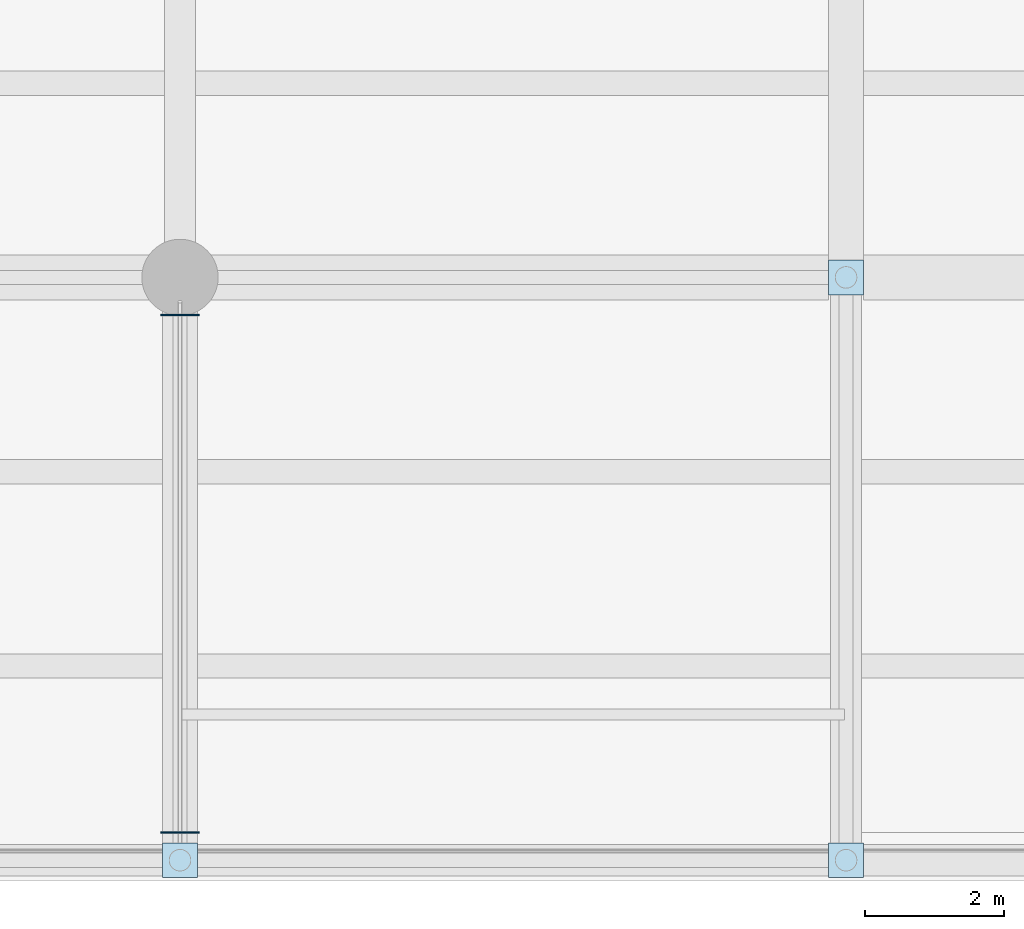
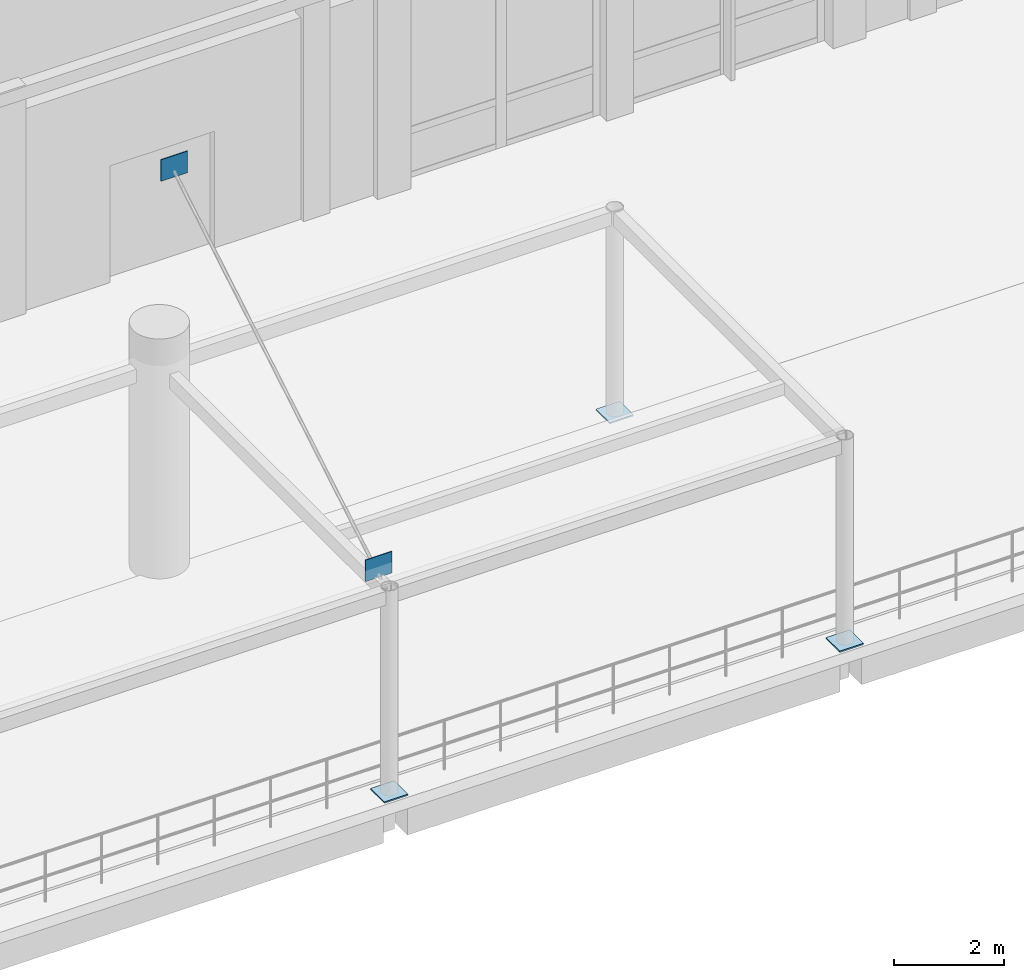
# One storey, part 45 of 71: 5 plates.
"""IFC4 building model written with IfcOpenShell, lengths in metres."""

from ifc_helpers import new_model, si_unit, direction, frame, origin, origin_2d, place, context, subcontext, project, spatial, rectangle, extrude, material, layer, layer_set, type_object, element, save


model = new_model("IFC4")

# Units and contexts
model_context = context("Model", 3, precision=1e-05, world=origin(), true_north=direction((0.0, 1.0)))
body_context = subcontext(model_context, "Body", "Model", "MODEL_VIEW")
ifc_project = project(units=[si_unit("LENGTHUNIT", "METRE"), si_unit("AREAUNIT", "SQUARE_METRE"), si_unit("VOLUMEUNIT", "CUBIC_METRE"), si_unit("PLANEANGLEUNIT", "RADIAN"), si_unit("MASSUNIT", "GRAM", prefix="KILO")], contexts=[model_context])

# Site, building, storey
site_placement = place(None, origin())
site = spatial("IfcSite", under=ifc_project, at=site_placement, CompositionType="ELEMENT")
building_placement = place(site_placement, origin())
building = spatial("IfcBuilding", under=site, at=building_placement, Name="Lornevale Opera House", CompositionType="ELEMENT")
storey_placement = place(building_placement, origin())
storey = spatial("IfcBuildingStorey", under=building, at=storey_placement, Name="L01", CompositionType="ELEMENT", Elevation=0.0)

# Plates
ifc_material = material(Name="Structural Steel CSA G40.21 Grade 350W (350 MPa)", Category="steel")
ifc_layer_1 = layer(ifc_material, 0.02001953125)
ifc_layer_set_1 = layer_set([ifc_layer_1], Name="Structural Steel CSA G40.21 Grade 350W (350 MPa)")
plate_type_1 = type_object("IfcPlateType", Name="Canopy Mast Anchor Plate 560x480x20", PredefinedType="USERDEFINED", material=ifc_layer_set_1)
for number, where, z_axis, x_axis, name in (
    (1, (96.0, 0.39990234375, 4.56005859375), (0.0, 0.0, 1.0), (1.0, 0.0, 0.0), "Canopy Mast Anchor Plate PT-0007"),
    (2, (96.0, 7.860107421875, 8.9599609375), (0.0, 0.0, 1.0), (1.0, 0.0, 0.0), "Canopy Mast Anchor Plate PT-0008"),
):
    element("IfcPlate", number, at=place(storey_placement, frame(where, z_axis=z_axis, x_axis=x_axis)), inside=storey, type_object=plate_type_1, Name=name, ObjectType="GUSSET PLATE", PredefinedType="USERDEFINED", context=body_context, shape_type="SweptSolid", body=[
        extrude(rectangle(XDim=0.56005859375, YDim=0.02001953125, at=origin_2d()), origin(), (0.0, 0.0, 1.0), 0.47998046875),
    ])
ifc_layer_2 = layer(ifc_material, 0.030029296875)
ifc_layer_set_2 = layer_set([ifc_layer_2], Name="Structural Steel CSA G40.21 Grade 350W (350 MPa)")
plate_type_2 = type_object("IfcPlateType", Name="Canopy Mast Base Plate 500x500x30", PredefinedType="USERDEFINED", material=ifc_layer_set_2)
for number, where, z_axis, x_axis, name in (
    (3, (96.0, 0.0, 0.0), (0.0, 0.0, 1.0), (1.0, 0.0, 0.0), "Canopy Mast Base Plate PT-MB-0005"),
    (4, (105.60009765625, 0.0, 0.0), (0.0, 0.0, 1.0), (1.0, 0.0, 0.0), "Canopy Mast Base Plate PT-MB-0006"),
    (5, (105.60009765625, 8.39990234375, 0.0), (0.0, 0.0, 1.0), (1.0, 0.0, 0.0), "Canopy Mast Base Plate PT-MB-0008"),
):
    element("IfcPlate", number, at=place(storey_placement, frame(where, z_axis=z_axis, x_axis=x_axis)), inside=storey, type_object=plate_type_2, Name=name, ObjectType="GUSSET PLATE", PredefinedType="USERDEFINED", context=body_context, shape_type="SweptSolid", body=[
        extrude(rectangle(XDim=0.5, YDim=0.5, at=origin_2d()), origin(), (0.0, 0.0, 1.0), 0.030029296875),
    ])

save(model, "model.ifc")
